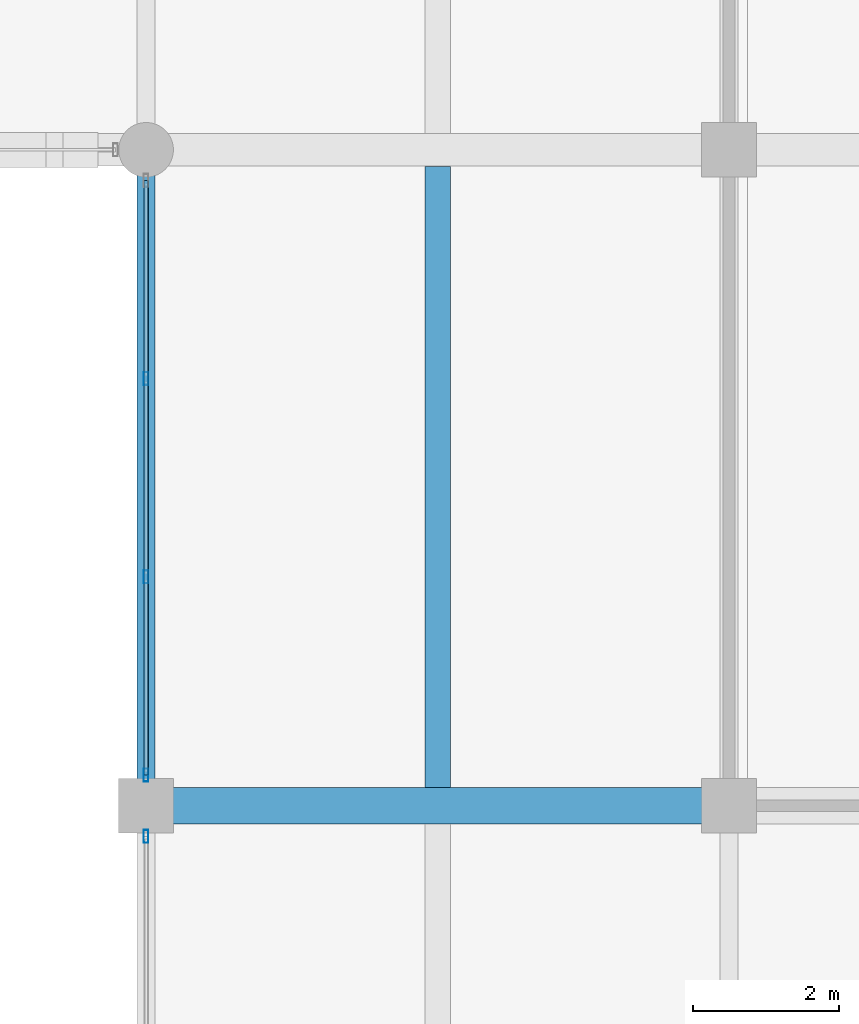
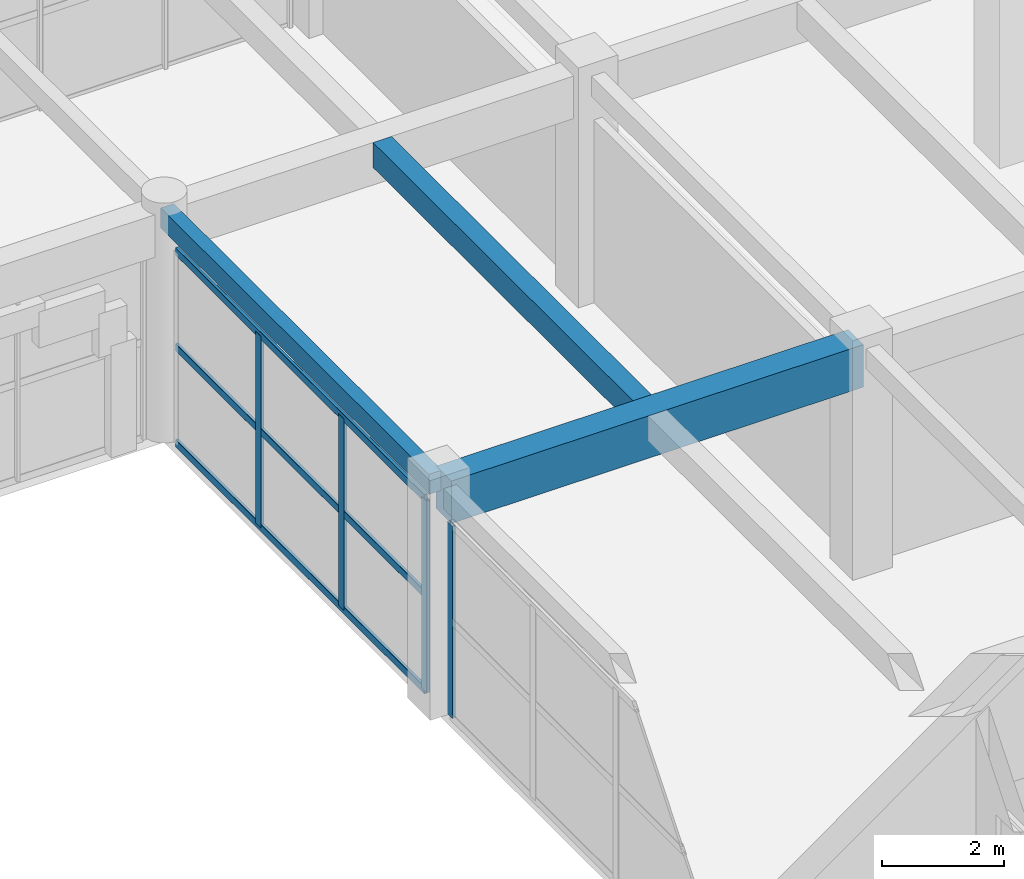
# One storey, part 79 of 144: 7 members, 3 beams, 2 elements without a shape of their own.
"""IFC4 building model written with IfcOpenShell, lengths in metres."""

from ifc_helpers import new_model, si_unit, direction, frame, origin, origin_2d, place, context, subcontext, project, spatial, rectangle, hollow_rectangle, extrude, material, material_profile, profile_set, type_object, element, aggregate, save


model = new_model("IFC4")

# Units and contexts
model_context = context("Model", 3, precision=1e-05, world=origin(), true_north=direction((0.0, 1.0)))
body_context = subcontext(model_context, "Body", "Model", "MODEL_VIEW")
ifc_project = project(units=[si_unit("LENGTHUNIT", "METRE"), si_unit("AREAUNIT", "SQUARE_METRE"), si_unit("VOLUMEUNIT", "CUBIC_METRE"), si_unit("PLANEANGLEUNIT", "RADIAN"), si_unit("MASSUNIT", "GRAM", prefix="KILO")], contexts=[model_context])

# Site, building, storey
site_placement = place(None, origin())
site = spatial("IfcSite", under=ifc_project, at=site_placement, CompositionType="ELEMENT")
building_placement = place(site_placement, origin())
building = spatial("IfcBuilding", under=site, at=building_placement, Name="Varnabhumi Central Station", CompositionType="ELEMENT")
storey_placement = place(building_placement, frame((0.0, 0.0, 4.800048828125)))
storey = spatial("IfcBuildingStorey", under=building, at=storey_placement, Name="L01", CompositionType="ELEMENT", Elevation=4.800048828125)

# Beams
ifc_material_1 = material(Name="Concrete M35", Category="concrete")
ifc_material_profile_1 = material_profile(ifc_material_1, rectangle(XDim=0.25, YDim=0.39990234375, at=origin_2d()), Name="Concrete M35", Category="concrete")
ifc_profile_set_1 = profile_set([ifc_material_profile_1], Name="Concrete M35")
beam_type_1 = type_object("IfcBeamType", Name="BM-RC-250x400", PredefinedType="LINTEL", material=ifc_profile_set_1)
beam_1_placement = place(storey_placement, frame((144.0, 18.10009765625, 4.349853515625), z_axis=(0.0, 1.0, 0.0), x_axis=(-1.0, 0.0, 0.0)))
element("IfcBeam", 1, at=beam_1_placement, inside=storey, type_object=beam_type_1, Name="Beam L01-19:C-D", PredefinedType="LINTEL", context=body_context, shape_type="SweptSolid", body=[
    extrude(rectangle(XDim=0.25, YDim=0.39990234375, at=origin_2d()), origin(), (0.0, 0.0, 1.0), 8.7998046875),
])
ifc_material_2 = material(Name="Concrete M40", Category="concrete")
ifc_material_profile_2 = material_profile(ifc_material_2, rectangle(XDim=0.35009765625, YDim=0.5, at=origin_2d()), Name="Concrete M40", Category="concrete")
ifc_profile_set_2 = profile_set([ifc_material_profile_2], Name="Concrete M40")
beam_type_2 = type_object("IfcBeamType", Name="BM-RC-350x500", PredefinedType="JOIST", material=ifc_profile_set_2)
beam_2_placement = place(storey_placement, frame((148.0, 18.25, 4.300048828125), z_axis=(0.0, 1.0, 0.0), x_axis=(-1.0, 0.0, 0.0)))
element("IfcBeam", 2, at=beam_2_placement, inside=storey, type_object=beam_type_2, Name="Secondary Joist L01-19/20:C-D", PredefinedType="JOIST", context=body_context, shape_type="SweptSolid", body=[
    extrude(rectangle(XDim=0.35009765625, YDim=0.5, at=origin_2d()), origin(), (0.0, 0.0, 1.0), 8.52490234375),
])
ifc_material_profile_3 = material_profile(ifc_material_2, rectangle(XDim=0.5, YDim=0.85009765625, at=origin_2d()), Name="Concrete M40", Category="concrete")
ifc_profile_set_3 = profile_set([ifc_material_profile_3], Name="Concrete M40")
beam_type_3 = type_object("IfcBeamType", Name="BM-RC-500x850", PredefinedType="BEAM", material=ifc_profile_set_3)
beam_3_placement = place(storey_placement, frame((144.10009765625, 18.0, 4.125), z_axis=(1.0, 0.0, 0.0), x_axis=(0.0, 1.0, 0.0)))
element("IfcBeam", 3, at=beam_3_placement, inside=storey, type_object=beam_type_3, Name="Beam L01-C:19-20", PredefinedType="BEAM", context=body_context, shape_type="SweptSolid", body=[
    extrude(rectangle(XDim=0.5, YDim=0.85009765625, at=origin_2d()), origin(), (0.0, 0.0, 1.0), 7.7998046875),
])

# Curtain wall, member
ifc_material_3 = material(Name="Anodised aluminium 6063-T6", Category="aluminium")
curtain_wall_type = type_object("IfcCurtainWallType", Name="CW-PATIO-LOGGIA-L1", PredefinedType="NOTDEFINED", material=ifc_material_3)
curtain_wall_1_placement = place(storey_placement, origin())
curtain_wall_1 = element("IfcCurtainWall", 4, at=curtain_wall_1_placement, inside=storey, type_object=curtain_wall_type, Name="Curtain Wall CW-SP1W1", PredefinedType="NOTDEFINED")
ifc_material_profile_4 = material_profile(ifc_material_3, hollow_rectangle(XDim=0.06494140625, YDim=0.179931640625, WallThickness=0.00390625, InnerFilletRadius=0.001953125, OuterFilletRadius=0.006103515625, at=origin_2d()), Name="Anodised aluminium 6063-T6", Category="aluminium")
ifc_profile_set_4 = profile_set([ifc_material_profile_4], Name="Anodised aluminium 6063-T6")
member_type_1 = type_object("IfcMemberType", Name="CW-MUL-180", PredefinedType="MULLION", material=ifc_profile_set_4)
member_1_placement = place(storey_placement, frame((144.0, 17.580078125, 0.0), z_axis=(0.0, 0.0, 1.0), x_axis=(1.0, 0.0, 0.0)))
member_1 = element("IfcMember", 5, at=member_1_placement, type_object=member_type_1, Name="Curtain Wall Mullion CW-SP1W1-M4", PredefinedType="MULLION", context=body_context, shape_type="SweptSolid", body=[
    extrude(hollow_rectangle(XDim=0.06494140625, YDim=0.179931640625, WallThickness=0.00390625, InnerFilletRadius=0.001953125, OuterFilletRadius=0.006103515625, at=origin_2d()), origin(), (0.0, 0.0, 1.0), 3.83984375),
])
aggregate(curtain_wall_1, [member_1])

# Curtain wall, members
curtain_wall_2_placement = place(storey_placement, origin())
curtain_wall_2 = element("IfcCurtainWall", 6, at=curtain_wall_2_placement, inside=storey, type_object=curtain_wall_type, Name="Curtain Wall CW-SP1W2", PredefinedType="NOTDEFINED")
member_2_placement = place(storey_placement, frame((144.0, 18.419921875, 0.0), z_axis=(0.0, 0.0, 1.0), x_axis=(1.0, 0.0, 0.0)))
member_2 = element("IfcMember", 7, at=member_2_placement, type_object=member_type_1, Name="Curtain Wall Mullion CW-SP1W2-M1", PredefinedType="MULLION", context=body_context, shape_type="SweptSolid", body=[
    extrude(hollow_rectangle(XDim=0.06494140625, YDim=0.179931640625, WallThickness=0.00390625, InnerFilletRadius=0.001953125, OuterFilletRadius=0.006103515625, at=origin_2d()), origin(), (0.0, 0.0, 1.0), 3.83984375),
])
member_3_placement = place(storey_placement, frame((144.0, 21.139892578125, 0.0), z_axis=(0.0, 0.0, 1.0), x_axis=(1.0, 0.0, 0.0)))
member_3 = element("IfcMember", 8, at=member_3_placement, type_object=member_type_1, Name="Curtain Wall Mullion CW-SP1W2-M2", PredefinedType="MULLION", context=body_context, shape_type="SweptSolid", body=[
    extrude(hollow_rectangle(XDim=0.06494140625, YDim=0.179931640625, WallThickness=0.00390625, InnerFilletRadius=0.001953125, OuterFilletRadius=0.006103515625, at=origin_2d()), origin(), (0.0, 0.0, 1.0), 3.83984375),
])
member_4_placement = place(storey_placement, frame((144.0, 23.860107421875, 0.0), z_axis=(0.0, 0.0, 1.0), x_axis=(1.0, 0.0, 0.0)))
member_4 = element("IfcMember", 9, at=member_4_placement, type_object=member_type_1, Name="Curtain Wall Mullion CW-SP1W2-M3", PredefinedType="MULLION", context=body_context, shape_type="SweptSolid", body=[
    extrude(hollow_rectangle(XDim=0.06494140625, YDim=0.179931640625, WallThickness=0.00390625, InnerFilletRadius=0.001953125, OuterFilletRadius=0.006103515625, at=origin_2d()), origin(), (0.0, 0.0, 1.0), 3.83984375),
])
ifc_material_profile_5 = material_profile(ifc_material_3, hollow_rectangle(XDim=0.06005859375, YDim=0.14990234375, WallThickness=0.00390625, InnerFilletRadius=0.001953125, OuterFilletRadius=0.006103515625, at=origin_2d()), Name="Anodised aluminium 6063-T6", Category="aluminium")
ifc_profile_set_5 = profile_set([ifc_material_profile_5], Name="Anodised aluminium 6063-T6")
member_type_2 = type_object("IfcMemberType", Name="CW-TR-150", PredefinedType="USERDEFINED", material=ifc_profile_set_5)
member_5_placement = place(storey_placement, frame((144.0, 18.419921875, 0.0), z_axis=(0.0, 1.0, 0.0), x_axis=(-1.0, 0.0, 0.0)))
member_5 = element("IfcMember", 10, at=member_5_placement, type_object=member_type_2, Name="Curtain Wall Transom CW-SP1W2-T1", ObjectType="TRANSOM", PredefinedType="USERDEFINED", context=body_context, shape_type="SweptSolid", body=[
    extrude(hollow_rectangle(XDim=0.06005859375, YDim=0.14990234375, WallThickness=0.00390625, InnerFilletRadius=0.001953125, OuterFilletRadius=0.006103515625, at=origin_2d()), origin(), (0.0, 0.0, 1.0), 8.16015625),
])
member_6_placement = place(storey_placement, frame((144.0, 18.419921875, 1.919921875), z_axis=(0.0, 1.0, 0.0), x_axis=(-1.0, 0.0, 0.0)))
member_6 = element("IfcMember", 11, at=member_6_placement, type_object=member_type_2, Name="Curtain Wall Transom CW-SP1W2-T2", ObjectType="TRANSOM", PredefinedType="USERDEFINED", context=body_context, shape_type="SweptSolid", body=[
    extrude(hollow_rectangle(XDim=0.06005859375, YDim=0.14990234375, WallThickness=0.00390625, InnerFilletRadius=0.001953125, OuterFilletRadius=0.006103515625, at=origin_2d()), origin(), (0.0, 0.0, 1.0), 8.16015625),
])
member_7_placement = place(storey_placement, frame((144.0, 18.419921875, 3.83984375), z_axis=(0.0, 1.0, 0.0), x_axis=(-1.0, 0.0, 0.0)))
member_7 = element("IfcMember", 12, at=member_7_placement, type_object=member_type_2, Name="Curtain Wall Transom CW-SP1W2-T3", ObjectType="TRANSOM", PredefinedType="USERDEFINED", context=body_context, shape_type="SweptSolid", body=[
    extrude(hollow_rectangle(XDim=0.06005859375, YDim=0.14990234375, WallThickness=0.00390625, InnerFilletRadius=0.001953125, OuterFilletRadius=0.006103515625, at=origin_2d()), origin(), (0.0, 0.0, 1.0), 8.16015625),
])
aggregate(curtain_wall_2, [member_2, member_3, member_4, member_5, member_6, member_7])

save(model, "model.ifc")
